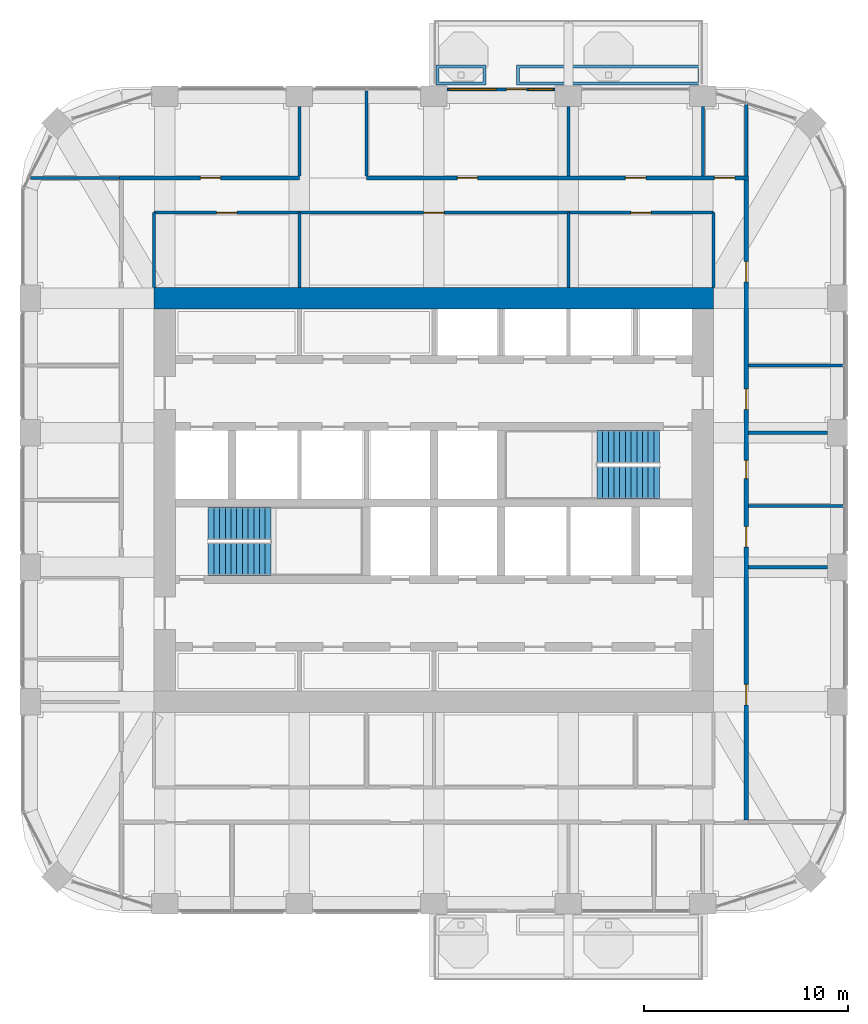
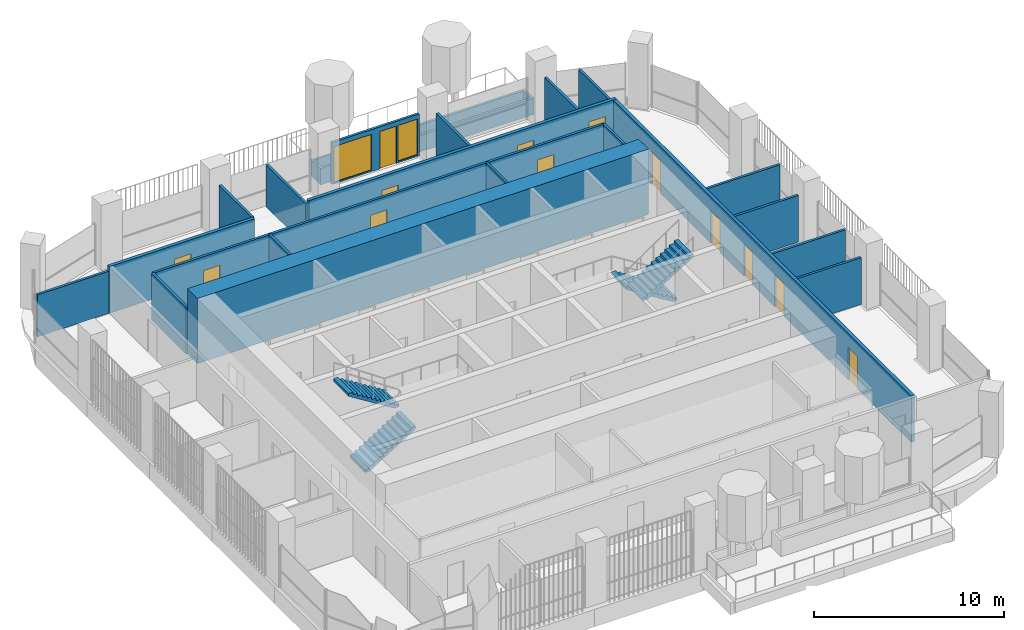
# One storey, part 16 of 20: 22 walls, 13 doors, 4 stair flights, 2 windows, 15 openings, 2 elements without a shape of their own.
"""IFC4 building model written with IfcOpenShell, lengths in metres."""

from ifc_helpers import new_model, si_unit, direction, frame, frame_2d, origin, place, context, subcontext, project, spatial, polyline, rectangle, outline, extrude, material, layer, layer_set, type_object, element, fill, aggregate, save


model = new_model("IFC4")

# Units and contexts
model_context = context("Model", 3, precision=1e-05, world=origin(), true_north=direction((0.0, 1.0)))
body_context = subcontext(model_context, "Body", "Model", "MODEL_VIEW")
ifc_project = project(units=[si_unit("LENGTHUNIT", "METRE"), si_unit("AREAUNIT", "SQUARE_METRE"), si_unit("VOLUMEUNIT", "CUBIC_METRE"), si_unit("PLANEANGLEUNIT", "RADIAN"), si_unit("MASSUNIT", "GRAM", prefix="KILO")], contexts=[model_context])

# Site, building, storey
site_placement = place(None, origin())
site = spatial("IfcSite", under=ifc_project, at=site_placement, CompositionType="ELEMENT")
building_placement = place(site_placement, origin())
building = spatial("IfcBuilding", under=site, at=building_placement, Name="Cobogo Forest Laboratory Tower", CompositionType="ELEMENT")
storey_placement = place(building_placement, frame((0.0, 0.0, 233.39990234375)))
storey = spatial("IfcBuildingStorey", under=building, at=storey_placement, Name="L53", CompositionType="ELEMENT", Elevation=233.39990234375)

# Wall
ifc_material_1 = material(Name="Concrete HA-50 (C50/60)", Category="concrete")
ifc_layer_1 = layer(ifc_material_1, 1.050048828125)
ifc_layer_set_1 = layer_set([ifc_layer_1], Name="CW1050 core outer wall 1050")
wall_type_1 = type_object("IfcWallType", Name="CW1050 core outer wall 1050", PredefinedType="SHEAR", material=ifc_layer_set_1)
wall_1_placement = place(storey_placement, frame((40.125, 33.0, 0.0), z_axis=(0.0, 0.0, 1.0), x_axis=(-1.0, 0.0, 0.0)))
element("IfcWall", 1, at=wall_1_placement, inside=storey, type_object=wall_type_1, Name="Core wall CO-N L53", PredefinedType="SHEAR", context=body_context, shape_type="SweptSolid", body=[
    extrude(rectangle(XDim=27.449951171875, YDim=1.050048828125, at=frame_2d((13.72509765625, 0.0))), origin(), (0.0, 0.0, 1.0), 4.2001953125),
])

# Wall, openings, door, windows
ifc_material_2 = material(Name="Aluminium framed glazed screen", Category="aluminium")
ifc_layer_2 = layer(ifc_material_2, 0.14990234375)
ifc_layer_set_2 = layer_set([ifc_layer_2], Name="GS1 glazed door screen 150")
wall_type_2 = type_object("IfcWallType", Name="GS1 glazed door screen 150", PredefinedType="SOLIDWALL", material=ifc_layer_set_2)
wall_2_placement = place(storey_placement, frame((32.35009765625, 43.25, 0.0), z_axis=(0.0, 0.0, 1.0), x_axis=(-1.0, 0.0, 0.0)))
wall_2 = element("IfcWall", 2, at=wall_2_placement, inside=storey, type_object=wall_type_2, Name="Door screen BAL-N1 L53", PredefinedType="SOLIDWALL", context=body_context, shape_type="SweptSolid", body=[
    extrude(rectangle(XDim=5.300048828125, YDim=0.14990234375, at=frame_2d((2.64990234375, 0.0))), origin(), (0.0, 0.0, 1.0), 2.7001953125),
])
opening_1_placement = place(wall_2_placement, frame((1.39990234375, 0.0, 0.0)))
opening_1 = element("IfcOpeningElement", 3, at=opening_1_placement, cuts=wall_2, Name="Opening L53-D49", PredefinedType="OPENING", context=body_context, shape_type="SweptSolid", body=[
    extrude(rectangle(XDim=1.0, YDim=2.39990234375, at=frame_2d((0.5, 1.199951171875))), frame((0.0, 0.0849609375, 0.0), z_axis=(0.0, -1.0, 0.0), x_axis=(1.0, 0.0, 0.0)), (0.0, 0.0, 1.0), 0.169921875),
])
opening_2_placement = place(wall_2_placement, frame((0.10009765625, 0.0, 0.10009765625)))
opening_2 = element("IfcOpeningElement", 4, at=opening_2_placement, cuts=wall_2, Name="Opening L53-W04", PredefinedType="OPENING", context=body_context, shape_type="SweptSolid", body=[
    extrude(rectangle(XDim=1.199951171875, YDim=2.300048828125, at=frame_2d((0.60009765625, 1.14990234375))), frame((0.0, 0.0849609375, 0.0), z_axis=(0.0, -1.0, 0.0), x_axis=(1.0, 0.0, 0.0)), (0.0, 0.0, 1.0), 0.169921875),
])
opening_3_placement = place(wall_2_placement, frame((2.89990234375, 0.0, 0.10009765625)))
opening_3 = element("IfcOpeningElement", 5, at=opening_3_placement, cuts=wall_2, Name="Opening L53-W03", PredefinedType="OPENING", context=body_context, shape_type="SweptSolid", body=[
    extrude(rectangle(XDim=2.300048828125, YDim=2.300048828125, at=frame_2d((1.14990234375, 1.14990234375))), frame((0.0, 0.0849609375, 0.0), z_axis=(0.0, -1.0, 0.0), x_axis=(1.0, 0.0, 0.0)), (0.0, 0.0, 1.0), 0.169921875),
])
ifc_material_3 = material(Name="Aluminium glazed door", Category="aluminium")
door_type_1 = type_object("IfcDoorType", Name="DB1 balcony door 1000 glazed", OperationType="SINGLE_SWING_LEFT", PredefinedType="DOOR", material=ifc_material_3)
door_1_placement = place(opening_1_placement, origin())
door_1 = element("IfcDoor", 6, at=door_1_placement, inside=storey, type_object=door_type_1, Name="Door L53-BAL-N1", OperationType="SINGLE_SWING_LEFT", OverallHeight=2.39990234375, OverallWidth=1.0, PredefinedType="DOOR", context=body_context, shape_type="SweptSolid", body=[
    extrude(rectangle(XDim=1.0, YDim=2.39990234375, at=frame_2d((0.5, 1.199951171875))), frame((0.0, 0.02490234375, 0.0), z_axis=(0.0, -1.0, 0.0), x_axis=(1.0, 0.0, 0.0)), (0.0, 0.0, 1.0), 0.050048828125),
])
fill(opening_1, door_1)
ifc_material_4 = material(Name="Aluminium framed glazing", Category="aluminium")
window_type_1 = type_object("IfcWindowType", Name="WG21 fixed glazed light 2300x2300", PartitioningType="SINGLE_PANEL", PredefinedType="WINDOW", material=ifc_material_4)
window_1_placement = place(opening_3_placement, origin())
window_1 = element("IfcWindow", 7, at=window_1_placement, inside=storey, type_object=window_type_1, Name="Window L53-BAL-N1-2", OverallHeight=2.300048828125, OverallWidth=2.300048828125, PartitioningType="SINGLE_PANEL", PredefinedType="WINDOW", context=body_context, shape_type="SweptSolid", body=[
    extrude(rectangle(XDim=2.300048828125, YDim=2.300048828125, at=frame_2d((1.14990234375, 1.14990234375))), frame((0.0, 0.030029296875, 0.0), z_axis=(0.0, -1.0, 0.0), x_axis=(1.0, 0.0, 0.0)), (0.0, 0.0, 1.0), 0.06005859375),
])
fill(opening_3, window_1)
window_type_2 = type_object("IfcWindowType", Name="WG22 fixed glazed light 1200x2300", PartitioningType="SINGLE_PANEL", PredefinedType="WINDOW", material=ifc_material_4)
window_2_placement = place(opening_2_placement, origin())
window_2 = element("IfcWindow", 8, at=window_2_placement, inside=storey, type_object=window_type_2, Name="Window L53-BAL-N1-1", OverallHeight=2.300048828125, OverallWidth=1.199951171875, PartitioningType="SINGLE_PANEL", PredefinedType="WINDOW", context=body_context, shape_type="SweptSolid", body=[
    extrude(rectangle(XDim=1.199951171875, YDim=2.300048828125, at=frame_2d((0.60009765625, 1.14990234375))), frame((0.0, 0.030029296875, 0.0), z_axis=(0.0, -1.0, 0.0), x_axis=(1.0, 0.0, 0.0)), (0.0, 0.0, 1.0), 0.06005859375),
])
fill(opening_2, window_2)

# Wall, openings, doors
ifc_material_5 = material(Name="Gypsum board on steel studs", Category="steel")
ifc_layer_3 = layer(ifc_material_5, 0.14990234375)
ifc_layer_set_3 = layer_set([ifc_layer_3], Name="PT1 laboratory partition 150")
wall_type_3 = type_object("IfcWallType", Name="PT1 laboratory partition 150", PredefinedType="PARTITIONING", material=ifc_layer_set_3)
wall_3_placement = place(storey_placement, frame((12.675048828125, 37.199951171875, 0.0), z_axis=(0.0, 0.0, 1.0), x_axis=(1.0, 0.0, 0.0)))
wall_3 = element("IfcWall", 9, at=wall_3_placement, inside=storey, type_object=wall_type_3, Name="Partition CSTRIP-N L53", PredefinedType="PARTITIONING", context=body_context, shape_type="SweptSolid", body=[
    extrude(rectangle(XDim=27.449951171875, YDim=0.14990234375, at=frame_2d((13.72509765625, 0.0))), origin(), (0.0, 0.0, 1.0), 3.0),
])
opening_4_placement = place(wall_3_placement, frame((3.0625, 0.0, 0.0)))
opening_4 = element("IfcOpeningElement", 10, at=opening_4_placement, cuts=wall_3, Name="Opening L53-D42", PredefinedType="OPENING", context=body_context, shape_type="SweptSolid", body=[
    extrude(rectangle(XDim=1.0, YDim=2.10009765625, at=frame_2d((0.5, 1.050048828125))), frame((0.0, 0.0849609375, 0.0), z_axis=(0.0, -1.0, 0.0), x_axis=(1.0, 0.0, 0.0)), (0.0, 0.0, 1.0), 0.169921875),
])
opening_5_placement = place(wall_3_placement, frame((13.22509765625, 0.0, 0.0)))
opening_5 = element("IfcOpeningElement", 11, at=opening_5_placement, cuts=wall_3, Name="Opening L53-D43", PredefinedType="OPENING", context=body_context, shape_type="SweptSolid", body=[
    extrude(rectangle(XDim=1.0, YDim=2.10009765625, at=frame_2d((0.5, 1.050048828125))), frame((0.0, 0.0849609375, 0.0), z_axis=(0.0, -1.0, 0.0), x_axis=(1.0, 0.0, 0.0)), (0.0, 0.0, 1.0), 0.169921875),
])
opening_6_placement = place(wall_3_placement, frame((23.387451171875, 0.0, 0.0)))
opening_6 = element("IfcOpeningElement", 12, at=opening_6_placement, cuts=wall_3, Name="Opening L53-D44", PredefinedType="OPENING", context=body_context, shape_type="SweptSolid", body=[
    extrude(rectangle(XDim=1.0, YDim=2.10009765625, at=frame_2d((0.5, 1.050048828125))), frame((0.0, 0.0849609375, 0.0), z_axis=(0.0, -1.0, 0.0), x_axis=(1.0, 0.0, 0.0)), (0.0, 0.0, 1.0), 0.169921875),
])
ifc_material_6 = material(Name="Timber fire door", Category="wood")
door_type_2 = type_object("IfcDoorType", Name="FD2 fire door 1000 EI2 30", OperationType="SINGLE_SWING_LEFT", PredefinedType="DOOR", material=ifc_material_6)
door_2_placement = place(opening_4_placement, origin())
door_2 = element("IfcDoor", 13, at=door_2_placement, inside=storey, type_object=door_type_2, Name="Door L53-CSN1", OperationType="SINGLE_SWING_LEFT", OverallHeight=2.10009765625, OverallWidth=1.0, PredefinedType="DOOR", context=body_context, shape_type="SweptSolid", body=[
    extrude(rectangle(XDim=1.0, YDim=2.10009765625, at=frame_2d((0.5, 1.050048828125))), frame((0.0, 0.02490234375, 0.0), z_axis=(0.0, -1.0, 0.0), x_axis=(1.0, 0.0, 0.0)), (0.0, 0.0, 1.0), 0.050048828125),
])
fill(opening_4, door_2)
door_3_placement = place(opening_5_placement, origin())
door_3 = element("IfcDoor", 14, at=door_3_placement, inside=storey, type_object=door_type_2, Name="Door L53-CSN2", OperationType="SINGLE_SWING_LEFT", OverallHeight=2.10009765625, OverallWidth=1.0, PredefinedType="DOOR", context=body_context, shape_type="SweptSolid", body=[
    extrude(rectangle(XDim=1.0, YDim=2.10009765625, at=frame_2d((0.5, 1.050048828125))), frame((0.0, 0.02490234375, 0.0), z_axis=(0.0, -1.0, 0.0), x_axis=(1.0, 0.0, 0.0)), (0.0, 0.0, 1.0), 0.050048828125),
])
fill(opening_5, door_3)
door_4_placement = place(opening_6_placement, origin())
door_4 = element("IfcDoor", 15, at=door_4_placement, inside=storey, type_object=door_type_2, Name="Door L53-CSN3", OperationType="SINGLE_SWING_RIGHT", OverallHeight=2.10009765625, OverallWidth=1.0, PredefinedType="DOOR", context=body_context, shape_type="SweptSolid", body=[
    extrude(rectangle(XDim=1.0, YDim=2.10009765625, at=frame_2d((0.5, 1.050048828125))), frame((0.0, 0.02490234375, 0.0), z_axis=(0.0, -1.0, 0.0), x_axis=(1.0, 0.0, 0.0)), (0.0, 0.0, 1.0), 0.050048828125),
])
fill(opening_6, door_4)

# Walls
for number, where, z_axis, x_axis, name in (
    (16, (12.675048828125, 33.52490234375, 0.0), (0.0, 0.0, 1.0), (0.0, 1.0, 0.0), "Partition CSTRIP-NW L53"),
    (17, (40.125, 33.52490234375, 0.0), (0.0, 0.0, 1.0), (0.0, 1.0, 0.0), "Partition CSTRIP-NE L53"),
    (18, (19.800048828125, 33.52490234375, 0.0), (0.0, 0.0, 1.0), (0.0, 1.0, 0.0), "Partition CSTRIP-N19.8 L53"),
    (19, (33.0, 33.52490234375, 0.0), (0.0, 0.0, 1.0), (0.0, 1.0, 0.0), "Partition CSTRIP-N33 L53"),
):
    element("IfcWall", number, at=place(storey_placement, frame(where, z_axis=z_axis, x_axis=x_axis)), inside=storey, type_object=wall_type_3, Name=name, PredefinedType="PARTITIONING", context=body_context, shape_type="SweptSolid", body=[
        extrude(rectangle(XDim=3.675048828125, YDim=0.14990234375, at=frame_2d((1.83740234375, 0.0))), origin(), (0.0, 0.0, 1.0), 3.0),
    ])
wall_4_placement = place(storey_placement, frame((41.72509765625, 42.4951171875, 0.0), z_axis=(0.0, 0.0, 1.0), x_axis=(0.0, -1.0, 0.0)))
element("IfcWall", 20, at=wall_4_placement, inside=storey, type_object=wall_type_3, Name="Partition PW-NE L53", PredefinedType="PARTITIONING", context=body_context, shape_type="SweptSolid", body=[
    extrude(rectangle(XDim=3.4951171875, YDim=0.14990234375, at=frame_2d((1.74755859375, 0.0))), origin(), (0.0, 0.0, 1.0), 2.7001953125),
])
wall_5_placement = place(storey_placement, frame((6.6025390625, 38.89990234375, 0.0), z_axis=(0.0, 0.0, 1.0), x_axis=(1.0, 0.0, 0.0)))
element("IfcWall", 21, at=wall_5_placement, inside=storey, type_object=wall_type_3, Name="Partition PW-NW L53", PredefinedType="PARTITIONING", context=body_context, shape_type="SweptSolid", body=[
    extrude(rectangle(XDim=4.37255859375, YDim=0.14990234375, at=frame_2d((2.186279296875, 0.0))), origin(), (0.0, 0.0, 1.0), 2.7001953125),
])
wall_6_placement = place(storey_placement, frame((46.469970703125, 22.800048828125, 0.0), z_axis=(0.0, 0.0, 1.0), x_axis=(-1.0, 0.0, 0.0)))
element("IfcWall", 22, at=wall_6_placement, inside=storey, type_object=wall_type_3, Name="Partition SVC-E1-1 L53", PredefinedType="PARTITIONING", context=body_context, shape_type="SweptSolid", body=[
    extrude(rectangle(XDim=4.64501953125, YDim=0.14990234375, at=frame_2d((2.322509765625, 0.0))), origin(), (0.0, 0.0, 1.0), 2.7001953125),
])
for number, where, z_axis, x_axis, name in (
    (23, (45.699951171875, 26.39990234375, 0.0), (0.0, 0.0, 1.0), (-1.0, 0.0, 0.0), "Partition SVC-E2-1 L53"),
    (24, (45.699951171875, 19.800048828125, 0.0), (0.0, 0.0, 1.0), (-1.0, 0.0, 0.0), "Partition CUT-E19.8-1 L53"),
):
    element("IfcWall", number, at=place(storey_placement, frame(where, z_axis=z_axis, x_axis=x_axis)), inside=storey, type_object=wall_type_3, Name=name, PredefinedType="PARTITIONING", context=body_context, shape_type="SweptSolid", body=[
        extrude(rectangle(XDim=3.875, YDim=0.14990234375, at=frame_2d((1.9375, 0.0))), origin(), (0.0, 0.0, 1.0), 3.0),
    ])
wall_7_placement = place(storey_placement, frame((46.469970703125, 29.699951171875, 0.0), z_axis=(0.0, 0.0, 1.0), x_axis=(-1.0, 0.0, 0.0)))
element("IfcWall", 25, at=wall_7_placement, inside=storey, type_object=wall_type_3, Name="Partition CUT-E29.7-1 L53", PredefinedType="PARTITIONING", context=body_context, shape_type="SweptSolid", body=[
    extrude(rectangle(XDim=4.64501953125, YDim=0.14990234375, at=frame_2d((2.322509765625, 0.0))), origin(), (0.0, 0.0, 1.0), 2.7001953125),
])
wall_8_placement = place(storey_placement, frame((19.800048828125, 42.39990234375, 0.0), z_axis=(0.0, 0.0, 1.0), x_axis=(0.0, -1.0, 0.0)))
element("IfcWall", 26, at=wall_8_placement, inside=storey, type_object=wall_type_3, Name="Partition CUT-N19.8-1 L53", PredefinedType="PARTITIONING", context=body_context, shape_type="SweptSolid", body=[
    extrude(rectangle(XDim=3.39990234375, YDim=0.14990234375, at=frame_2d((1.699951171875, 0.0))), origin(), (0.0, 0.0, 1.0), 3.0),
])
wall_9_placement = place(storey_placement, frame((23.10009765625, 43.169921875, 0.0), z_axis=(0.0, 0.0, 1.0), x_axis=(0.0, -1.0, 0.0)))
element("IfcWall", 27, at=wall_9_placement, inside=storey, type_object=wall_type_3, Name="Partition CUT-N23.1-1 L53", PredefinedType="PARTITIONING", context=body_context, shape_type="SweptSolid", body=[
    extrude(rectangle(XDim=4.169921875, YDim=0.14990234375, at=frame_2d((2.0849609375, 0.0))), origin(), (0.0, 0.0, 1.0), 2.7001953125),
])
for number, where, z_axis, x_axis, name in (
    (28, (33.0, 42.39990234375, 0.0), (0.0, 0.0, 1.0), (0.0, -1.0, 0.0), "Partition CUT-N33-1 L53"),
    (29, (39.60009765625, 42.39990234375, 0.0), (0.0, 0.0, 1.0), (0.0, -1.0, 0.0), "Partition CUT-N39.6-1 L53"),
):
    element("IfcWall", number, at=place(storey_placement, frame(where, z_axis=z_axis, x_axis=x_axis)), inside=storey, type_object=wall_type_3, Name=name, PredefinedType="PARTITIONING", context=body_context, shape_type="SweptSolid", body=[
        extrude(rectangle(XDim=3.39990234375, YDim=0.14990234375, at=frame_2d((1.699951171875, 0.0))), origin(), (0.0, 0.0, 1.0), 3.0),
    ])

# Wall, opening, door
ifc_layer_4 = layer(ifc_material_5, 0.199951171875)
ifc_layer_set_4 = layer_set([ifc_layer_4], Name="PT2 fire-rated corridor partition 200")
wall_type_4 = type_object("IfcWallType", Name="PT2 fire-rated corridor partition 200", PredefinedType="PARTITIONING", material=ifc_layer_set_4)
wall_10_placement = place(storey_placement, frame((10.97509765625, 38.89990234375, 0.0), z_axis=(0.0, 0.0, 1.0), x_axis=(1.0, 0.0, 0.0)))
wall_10 = element("IfcWall", 30, at=wall_10_placement, inside=storey, type_object=wall_type_4, Name="Partition CORR-N-1 L53", PredefinedType="PARTITIONING", context=body_context, shape_type="SweptSolid", body=[
    extrude(rectangle(XDim=8.824951171875, YDim=0.199951171875, at=frame_2d((4.41259765625, 0.0))), origin(), (0.0, 0.0, 1.0), 3.0),
])
opening_7_placement = place(wall_10_placement, frame((3.96240234375, 0.0, 0.0)))
opening_7 = element("IfcOpeningElement", 31, at=opening_7_placement, cuts=wall_10, Name="Opening L53-D45", PredefinedType="OPENING", context=body_context, shape_type="SweptSolid", body=[
    extrude(rectangle(XDim=1.0, YDim=2.10009765625, at=frame_2d((0.5, 1.050048828125))), frame((0.0, 0.10986328125, 0.0), z_axis=(0.0, -1.0, 0.0), x_axis=(1.0, 0.0, 0.0)), (0.0, 0.0, 1.0), 0.219970703125),
])
door_5_placement = place(opening_7_placement, origin())
door_5 = element("IfcDoor", 32, at=door_5_placement, inside=storey, type_object=door_type_2, Name="Door L53-N1", OperationType="SINGLE_SWING_RIGHT", OverallHeight=2.10009765625, OverallWidth=1.0, PredefinedType="DOOR", context=body_context, shape_type="SweptSolid", body=[
    extrude(rectangle(XDim=1.0, YDim=2.10009765625, at=frame_2d((0.5, 1.050048828125))), frame((0.0, 0.02490234375, 0.0), z_axis=(0.0, -1.0, 0.0), x_axis=(1.0, 0.0, 0.0)), (0.0, 0.0, 1.0), 0.050048828125),
])
fill(opening_7, door_5)

# Wall, openings, doors
wall_11_placement = place(storey_placement, frame((23.10009765625, 38.89990234375, 0.0), z_axis=(0.0, 0.0, 1.0), x_axis=(1.0, 0.0, 0.0)))
wall_11 = element("IfcWall", 33, at=wall_11_placement, inside=storey, type_object=wall_type_4, Name="Partition CORR-N-2 L53", PredefinedType="PARTITIONING", context=body_context, shape_type="SweptSolid", body=[
    extrude(rectangle(XDim=18.724853515625, YDim=0.199951171875, at=frame_2d((9.3623046875, 0.0))), origin(), (0.0, 0.0, 1.0), 3.0),
])
opening_8_placement = place(wall_11_placement, frame((4.449951171875, 0.0, 0.0)))
opening_8 = element("IfcOpeningElement", 34, at=opening_8_placement, cuts=wall_11, Name="Opening L53-D46", PredefinedType="OPENING", context=body_context, shape_type="SweptSolid", body=[
    extrude(rectangle(XDim=1.0, YDim=2.10009765625, at=frame_2d((0.5, 1.050048828125))), frame((0.0, 0.10986328125, 0.0), z_axis=(0.0, -1.0, 0.0), x_axis=(1.0, 0.0, 0.0)), (0.0, 0.0, 1.0), 0.219970703125),
])
opening_9_placement = place(wall_11_placement, frame((12.699951171875, 0.0, 0.0)))
opening_9 = element("IfcOpeningElement", 35, at=opening_9_placement, cuts=wall_11, Name="Opening L53-D47", PredefinedType="OPENING", context=body_context, shape_type="SweptSolid", body=[
    extrude(rectangle(XDim=1.0, YDim=2.10009765625, at=frame_2d((0.5, 1.050048828125))), frame((0.0, 0.10986328125, 0.0), z_axis=(0.0, -1.0, 0.0), x_axis=(1.0, 0.0, 0.0)), (0.0, 0.0, 1.0), 0.219970703125),
])
opening_10_placement = place(wall_11_placement, frame((17.0625, 0.0, 0.0)))
opening_10 = element("IfcOpeningElement", 36, at=opening_10_placement, cuts=wall_11, Name="Opening L53-D48", PredefinedType="OPENING", context=body_context, shape_type="SweptSolid", body=[
    extrude(rectangle(XDim=1.0, YDim=2.10009765625, at=frame_2d((0.5, 1.050048828125))), frame((0.0, 0.10986328125, 0.0), z_axis=(0.0, -1.0, 0.0), x_axis=(1.0, 0.0, 0.0)), (0.0, 0.0, 1.0), 0.219970703125),
])
door_6_placement = place(opening_8_placement, origin())
door_6 = element("IfcDoor", 37, at=door_6_placement, inside=storey, type_object=door_type_2, Name="Door L53-N3", OperationType="SINGLE_SWING_LEFT", OverallHeight=2.10009765625, OverallWidth=1.0, PredefinedType="DOOR", context=body_context, shape_type="SweptSolid", body=[
    extrude(rectangle(XDim=1.0, YDim=2.10009765625, at=frame_2d((0.5, 1.050048828125))), frame((0.0, 0.02490234375, 0.0), z_axis=(0.0, -1.0, 0.0), x_axis=(1.0, 0.0, 0.0)), (0.0, 0.0, 1.0), 0.050048828125),
])
fill(opening_8, door_6)
door_7_placement = place(opening_9_placement, origin())
door_7 = element("IfcDoor", 38, at=door_7_placement, inside=storey, type_object=door_type_2, Name="Door L53-N4", OperationType="SINGLE_SWING_RIGHT", OverallHeight=2.10009765625, OverallWidth=1.0, PredefinedType="DOOR", context=body_context, shape_type="SweptSolid", body=[
    extrude(rectangle(XDim=1.0, YDim=2.10009765625, at=frame_2d((0.5, 1.050048828125))), frame((0.0, 0.02490234375, 0.0), z_axis=(0.0, -1.0, 0.0), x_axis=(1.0, 0.0, 0.0)), (0.0, 0.0, 1.0), 0.050048828125),
])
fill(opening_9, door_7)
door_8_placement = place(opening_10_placement, origin())
door_8 = element("IfcDoor", 39, at=door_8_placement, inside=storey, type_object=door_type_2, Name="Door L53-N5", OperationType="SINGLE_SWING_RIGHT", OverallHeight=2.10009765625, OverallWidth=1.0, PredefinedType="DOOR", context=body_context, shape_type="SweptSolid", body=[
    extrude(rectangle(XDim=1.0, YDim=2.10009765625, at=frame_2d((0.5, 1.050048828125))), frame((0.0, 0.02490234375, 0.0), z_axis=(0.0, -1.0, 0.0), x_axis=(1.0, 0.0, 0.0)), (0.0, 0.0, 1.0), 0.050048828125),
])
fill(opening_10, door_8)

wall_12_placement = place(storey_placement, frame((41.72509765625, 7.39990234375, 0.0), z_axis=(0.0, 0.0, 1.0), x_axis=(0.0, 1.0, 0.0)))
wall_12 = element("IfcWall", 40, at=wall_12_placement, inside=storey, type_object=wall_type_4, Name="Partition CORR-E L53", PredefinedType="PARTITIONING", context=body_context, shape_type="SweptSolid", body=[
    extrude(rectangle(XDim=31.400146484375, YDim=0.199951171875, at=frame_2d((15.7001953125, 0.0))), origin(), (0.0, 0.0, 1.0), 3.0),
])
opening_11_placement = place(wall_12_placement, frame((5.64990234375, 0.0, 0.0)))
opening_11 = element("IfcOpeningElement", 41, at=opening_11_placement, cuts=wall_12, Name="Opening L53-D12", PredefinedType="OPENING", context=body_context, shape_type="SweptSolid", body=[
    extrude(rectangle(XDim=1.0, YDim=2.10009765625, at=frame_2d((0.5, 1.050048828125))), frame((0.0, 0.10986328125, 0.0), z_axis=(0.0, -1.0, 0.0), x_axis=(1.0, 0.0, 0.0)), (0.0, 0.0, 1.0), 0.219970703125),
])
opening_12_placement = place(wall_12_placement, frame((13.39990234375, 0.0, 0.0)))
opening_12 = element("IfcOpeningElement", 42, at=opening_12_placement, cuts=wall_12, Name="Opening L53-D29", PredefinedType="OPENING", context=body_context, shape_type="SweptSolid", body=[
    extrude(rectangle(XDim=1.0, YDim=2.10009765625, at=frame_2d((0.5, 1.050048828125))), frame((0.0, 0.10986328125, 0.0), z_axis=(0.0, -1.0, 0.0), x_axis=(1.0, 0.0, 0.0)), (0.0, 0.0, 1.0), 0.219970703125),
])
opening_13_placement = place(wall_12_placement, frame((16.75, 0.0, 0.0)))
opening_13 = element("IfcOpeningElement", 43, at=opening_13_placement, cuts=wall_12, Name="Opening L53-D30", PredefinedType="OPENING", context=body_context, shape_type="SweptSolid", body=[
    extrude(rectangle(XDim=0.89990234375, YDim=2.10009765625, at=frame_2d((0.449951171875, 1.050048828125))), frame((0.0, 0.10986328125, 0.0), z_axis=(0.0, -1.0, 0.0), x_axis=(1.0, 0.0, 0.0)), (0.0, 0.0, 1.0), 0.219970703125),
])
opening_14_placement = place(wall_12_placement, frame((20.14990234375, 0.0, 0.0)))
opening_14 = element("IfcOpeningElement", 44, at=opening_14_placement, cuts=wall_12, Name="Opening L53-D33", PredefinedType="OPENING", context=body_context, shape_type="SweptSolid", body=[
    extrude(rectangle(XDim=1.0, YDim=2.10009765625, at=frame_2d((0.5, 1.050048828125))), frame((0.0, 0.10986328125, 0.0), z_axis=(0.0, -1.0, 0.0), x_axis=(1.0, 0.0, 0.0)), (0.0, 0.0, 1.0), 0.219970703125),
])
opening_15_placement = place(wall_12_placement, frame((26.39990234375, 0.0, 0.0)))
opening_15 = element("IfcOpeningElement", 45, at=opening_15_placement, cuts=wall_12, Name="Opening L53-D41", PredefinedType="OPENING", context=body_context, shape_type="SweptSolid", body=[
    extrude(rectangle(XDim=1.0, YDim=2.10009765625, at=frame_2d((0.5, 1.050048828125))), frame((0.0, 0.10986328125, 0.0), z_axis=(0.0, -1.0, 0.0), x_axis=(1.0, 0.0, 0.0)), (0.0, 0.0, 1.0), 0.219970703125),
])
ifc_material_7 = material(Name="Steel fire door", Category="steel")
door_type_3 = type_object("IfcDoorType", Name="FD1 fire door 1000 EI2 60", OperationType="SINGLE_SWING_LEFT", PredefinedType="DOOR", material=ifc_material_7)
door_9_placement = place(opening_12_placement, origin())
door_9 = element("IfcDoor", 46, at=door_9_placement, inside=storey, type_object=door_type_3, Name="Door L53-ELEC", OperationType="SINGLE_SWING_LEFT", OverallHeight=2.10009765625, OverallWidth=1.0, PredefinedType="DOOR", context=body_context, shape_type="SweptSolid", body=[
    extrude(rectangle(XDim=1.0, YDim=2.10009765625, at=frame_2d((0.5, 1.050048828125))), frame((0.0, 0.02490234375, 0.0), z_axis=(0.0, -1.0, 0.0), x_axis=(1.0, 0.0, 0.0)), (0.0, 0.0, 1.0), 0.050048828125),
])
fill(opening_12, door_9)
door_10_placement = place(opening_11_placement, origin())
door_10 = element("IfcDoor", 47, at=door_10_placement, inside=storey, type_object=door_type_2, Name="Door L53-E1", OperationType="SINGLE_SWING_LEFT", OverallHeight=2.10009765625, OverallWidth=1.0, PredefinedType="DOOR", context=body_context, shape_type="SweptSolid", body=[
    extrude(rectangle(XDim=1.0, YDim=2.10009765625, at=frame_2d((0.5, 1.050048828125))), frame((0.0, 0.02490234375, 0.0), z_axis=(0.0, -1.0, 0.0), x_axis=(1.0, 0.0, 0.0)), (0.0, 0.0, 1.0), 0.050048828125),
])
fill(opening_11, door_10)
door_11_placement = place(opening_14_placement, origin())
door_11 = element("IfcDoor", 48, at=door_11_placement, inside=storey, type_object=door_type_2, Name="Door L53-E2", OperationType="SINGLE_SWING_RIGHT", OverallHeight=2.10009765625, OverallWidth=1.0, PredefinedType="DOOR", context=body_context, shape_type="SweptSolid", body=[
    extrude(rectangle(XDim=1.0, YDim=2.10009765625, at=frame_2d((0.5, 1.050048828125))), frame((0.0, 0.02490234375, 0.0), z_axis=(0.0, -1.0, 0.0), x_axis=(1.0, 0.0, 0.0)), (0.0, 0.0, 1.0), 0.050048828125),
])
fill(opening_14, door_11)
door_12_placement = place(opening_15_placement, origin())
door_12 = element("IfcDoor", 49, at=door_12_placement, inside=storey, type_object=door_type_2, Name="Door L53-E3", OperationType="SINGLE_SWING_RIGHT", OverallHeight=2.10009765625, OverallWidth=1.0, PredefinedType="DOOR", context=body_context, shape_type="SweptSolid", body=[
    extrude(rectangle(XDim=1.0, YDim=2.10009765625, at=frame_2d((0.5, 1.050048828125))), frame((0.0, 0.02490234375, 0.0), z_axis=(0.0, -1.0, 0.0), x_axis=(1.0, 0.0, 0.0)), (0.0, 0.0, 1.0), 0.050048828125),
])
fill(opening_15, door_12)
door_type_4 = type_object("IfcDoorType", Name="FD4 riser access door 900 EI2 60", OperationType="SINGLE_SWING_LEFT", PredefinedType="DOOR", material=ifc_material_7)
door_13_placement = place(opening_13_placement, origin())
door_13 = element("IfcDoor", 50, at=door_13_placement, inside=storey, type_object=door_type_4, Name="Door L53-COMMS", OperationType="SINGLE_SWING_RIGHT", OverallHeight=2.10009765625, OverallWidth=0.89990234375, PredefinedType="DOOR", context=body_context, shape_type="SweptSolid", body=[
    extrude(rectangle(XDim=0.89990234375, YDim=2.10009765625, at=frame_2d((0.449951171875, 1.050048828125))), frame((0.0, 0.02490234375, 0.0), z_axis=(0.0, -1.0, 0.0), x_axis=(1.0, 0.0, 0.0)), (0.0, 0.0, 1.0), 0.050048828125),
])
fill(opening_13, door_13)

# Walls
ifc_material_8 = material(Name="Concrete HA-40 (C40/50)", Category="concrete")
ifc_layer_5 = layer(ifc_material_8, 0.14990234375)
ifc_layer_set_5 = layer_set([ifc_layer_5], Name="Planter box 1000x1050")
wall_type_5 = type_object("IfcWallType", Name="Planter box 1000x1050", PredefinedType="USERDEFINED", material=ifc_layer_set_5)
wall_13_placement = place(storey_placement, origin())
element("IfcWall", 51, at=wall_13_placement, inside=storey, type_object=wall_type_5, Name="Planter BAL-N1-1 L53", ObjectType="PLANTER", PredefinedType="USERDEFINED", context=body_context, shape_type="SweptSolid", body=[
    extrude(outline(polyline([(26.5, 43.449951171875), (28.949951171875, 43.449951171875), (28.949951171875, 44.449951171875), (26.5, 44.449951171875), (26.5, 43.449951171875)]), holes=[polyline([(26.64990234375, 43.60009765625), (28.800048828125, 43.60009765625), (28.800048828125, 44.300048828125), (26.64990234375, 44.300048828125), (26.64990234375, 43.60009765625)])]), origin(), (0.0, 0.0, 1.0), 1.050048828125),
])
wall_14_placement = place(storey_placement, origin())
element("IfcWall", 52, at=wall_14_placement, inside=storey, type_object=wall_type_5, Name="Planter BAL-N1-2 L53", ObjectType="PLANTER", PredefinedType="USERDEFINED", context=body_context, shape_type="SweptSolid", body=[
    extrude(outline(polyline([(30.449951171875, 43.449951171875), (39.5, 43.449951171875), (39.5, 44.449951171875), (30.449951171875, 44.449951171875), (30.449951171875, 43.449951171875)]), holes=[polyline([(30.60009765625, 43.60009765625), (39.35009765625, 43.60009765625), (39.35009765625, 44.300048828125), (30.60009765625, 44.300048828125), (30.60009765625, 43.60009765625)])]), origin(), (0.0, 0.0, 1.0), 1.050048828125),
])

# Stair, stair flights
ifc_material_9 = material(Name="Precast concrete HA-40 (C40/50)", Category="concrete")
stair_type = type_object("IfcStairType", Name="ST24 exit stair 24 risers", PredefinedType="HALF_TURN_STAIR", material=ifc_material_9)
stair_1_placement = place(storey_placement, origin())
stair_1 = element("IfcStair", 53, at=stair_1_placement, inside=storey, type_object=stair_type, Name="Stair 1 L53 to L54", PredefinedType="HALF_TURN_STAIR")
stair_flight_type = type_object("IfcStairFlightType", Name="ST stair flight 280 going", PredefinedType="STRAIGHT", material=ifc_material_9)
stair_flight_1_placement = place(storey_placement, frame((15.324951171875, 20.199951171875, 0.0), z_axis=(0.0, 0.0, 1.0), x_axis=(1.0, 0.0, 0.0)))
stair_flight_1 = element("IfcStairFlight", 54, at=stair_flight_1_placement, type_object=stair_flight_type, Name="ST1 flight 1", NumberOfRisers=12, NumberOfTreads=11, PredefinedType="STRAIGHT", RiserHeight=0.175, TreadLength=0.28, context=body_context, shape_type="SweptSolid", body=[
    extrude(outline(polyline([(0.0, 0.0), (0.0, 0.175048828125), (0.280029296875, 0.175048828125), (0.280029296875, 0.35009765625), (0.56005859375, 0.35009765625), (0.56005859375, 0.52490234375), (0.840087890625, 0.52490234375), (0.840087890625, 0.699951171875), (1.1201171875, 0.699951171875), (1.1201171875, 0.875), (1.39990234375, 0.875), (1.39990234375, 1.050048828125), (1.679931640625, 1.050048828125), (1.679931640625, 1.22509765625), (1.9599609375, 1.22509765625), (1.9599609375, 1.39990234375), (2.239990234375, 1.39990234375), (2.239990234375, 1.574951171875), (2.52001953125, 1.574951171875), (2.52001953125, 1.75), (2.800048828125, 1.75), (2.800048828125, 1.925048828125), (3.080078125, 1.925048828125), (3.080078125, 2.10009765625), (3.080078125, 1.748291015625), (0.28271484375, 0.0), (0.0, 0.0)])), frame((0.0, 0.800048828125, 0.0), z_axis=(0.0, -1.0, 0.0), x_axis=(1.0, 0.0, 0.0)), (0.0, 0.0, 1.0), 1.60009765625),
])
stair_flight_2_placement = place(storey_placement, frame((18.405029296875, 21.949951171875, 2.10009765625), z_axis=(0.0, 0.0, 1.0), x_axis=(-1.0, 0.0, 0.0)))
stair_flight_2 = element("IfcStairFlight", 55, at=stair_flight_2_placement, type_object=stair_flight_type, Name="ST1 flight 2", NumberOfRisers=12, NumberOfTreads=11, PredefinedType="STRAIGHT", RiserHeight=0.175, TreadLength=0.28, context=body_context, shape_type="SweptSolid", body=[
    extrude(outline(polyline([(0.0, 0.0), (0.0, 0.175048828125), (0.280029296875, 0.175048828125), (0.280029296875, 0.35009765625), (0.56005859375, 0.35009765625), (0.56005859375, 0.52490234375), (0.840087890625, 0.52490234375), (0.840087890625, 0.699951171875), (1.1201171875, 0.699951171875), (1.1201171875, 0.875), (1.39990234375, 0.875), (1.39990234375, 1.050048828125), (1.679931640625, 1.050048828125), (1.679931640625, 1.22509765625), (1.9599609375, 1.22509765625), (1.9599609375, 1.39990234375), (2.239990234375, 1.39990234375), (2.239990234375, 1.574951171875), (2.52001953125, 1.574951171875), (2.52001953125, 1.75), (2.800048828125, 1.75), (2.800048828125, 1.925048828125), (3.080078125, 1.925048828125), (3.080078125, 2.10009765625), (3.080078125, 1.748291015625), (0.28271484375, 0.0), (0.0, 0.0)])), frame((0.0, 0.800048828125, 0.0), z_axis=(0.0, -1.0, 0.0), x_axis=(1.0, 0.0, 0.0)), (0.0, 0.0, 1.0), 1.60009765625),
])
aggregate(stair_1, [stair_flight_1, stair_flight_2])

stair_2_placement = place(storey_placement, origin())
stair_2 = element("IfcStair", 56, at=stair_2_placement, inside=storey, type_object=stair_type, Name="Stair 2 L53 to L54", PredefinedType="HALF_TURN_STAIR")
stair_flight_3_placement = place(storey_placement, frame((37.47509765625, 25.699951171875, 0.0), z_axis=(0.0, 0.0, 1.0), x_axis=(-1.0, 0.0, 0.0)))
stair_flight_3 = element("IfcStairFlight", 57, at=stair_flight_3_placement, type_object=stair_flight_type, Name="ST2 flight 1", NumberOfRisers=12, NumberOfTreads=11, PredefinedType="STRAIGHT", RiserHeight=0.175, TreadLength=0.28, context=body_context, shape_type="SweptSolid", body=[
    extrude(outline(polyline([(0.0, 0.0), (0.0, 0.175048828125), (0.280029296875, 0.175048828125), (0.280029296875, 0.35009765625), (0.56005859375, 0.35009765625), (0.56005859375, 0.52490234375), (0.840087890625, 0.52490234375), (0.840087890625, 0.699951171875), (1.1201171875, 0.699951171875), (1.1201171875, 0.875), (1.39990234375, 0.875), (1.39990234375, 1.050048828125), (1.679931640625, 1.050048828125), (1.679931640625, 1.22509765625), (1.9599609375, 1.22509765625), (1.9599609375, 1.39990234375), (2.239990234375, 1.39990234375), (2.239990234375, 1.574951171875), (2.52001953125, 1.574951171875), (2.52001953125, 1.75), (2.800048828125, 1.75), (2.800048828125, 1.925048828125), (3.080078125, 1.925048828125), (3.080078125, 2.10009765625), (3.080078125, 1.748291015625), (0.28271484375, 0.0), (0.0, 0.0)])), frame((0.0, 0.800048828125, 0.0), z_axis=(0.0, -1.0, 0.0), x_axis=(1.0, 0.0, 0.0)), (0.0, 0.0, 1.0), 1.60009765625),
])
stair_flight_4_placement = place(storey_placement, frame((34.39501953125, 23.949951171875, 2.10009765625), z_axis=(0.0, 0.0, 1.0), x_axis=(1.0, 0.0, 0.0)))
stair_flight_4 = element("IfcStairFlight", 58, at=stair_flight_4_placement, type_object=stair_flight_type, Name="ST2 flight 2", NumberOfRisers=12, NumberOfTreads=11, PredefinedType="STRAIGHT", RiserHeight=0.175, TreadLength=0.28, context=body_context, shape_type="SweptSolid", body=[
    extrude(outline(polyline([(0.0, 0.0), (0.0, 0.175048828125), (0.280029296875, 0.175048828125), (0.280029296875, 0.35009765625), (0.56005859375, 0.35009765625), (0.56005859375, 0.52490234375), (0.840087890625, 0.52490234375), (0.840087890625, 0.699951171875), (1.1201171875, 0.699951171875), (1.1201171875, 0.875), (1.39990234375, 0.875), (1.39990234375, 1.050048828125), (1.679931640625, 1.050048828125), (1.679931640625, 1.22509765625), (1.9599609375, 1.22509765625), (1.9599609375, 1.39990234375), (2.239990234375, 1.39990234375), (2.239990234375, 1.574951171875), (2.52001953125, 1.574951171875), (2.52001953125, 1.75), (2.800048828125, 1.75), (2.800048828125, 1.925048828125), (3.080078125, 1.925048828125), (3.080078125, 2.10009765625), (3.080078125, 1.748291015625), (0.28271484375, 0.0), (0.0, 0.0)])), frame((0.0, 0.800048828125, 0.0), z_axis=(0.0, -1.0, 0.0), x_axis=(1.0, 0.0, 0.0)), (0.0, 0.0, 1.0), 1.60009765625),
])
aggregate(stair_2, [stair_flight_3, stair_flight_4])

save(model, "model.ifc")
